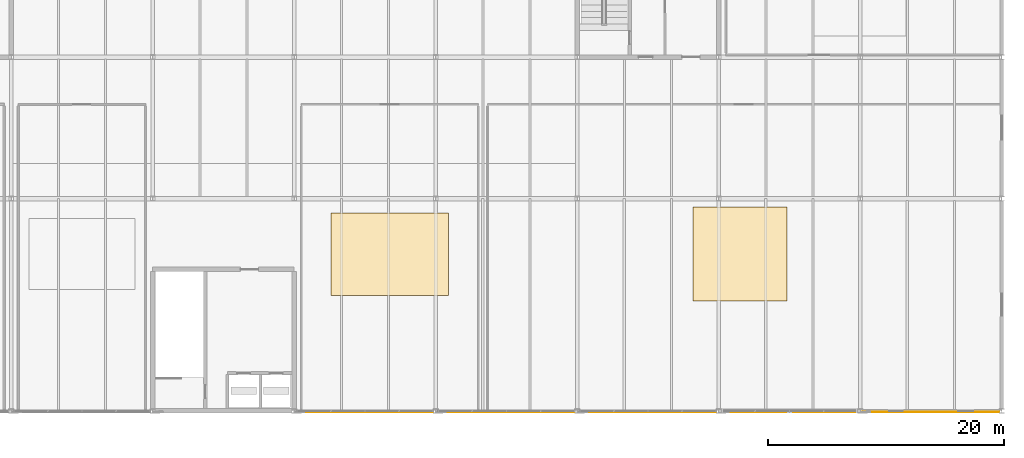
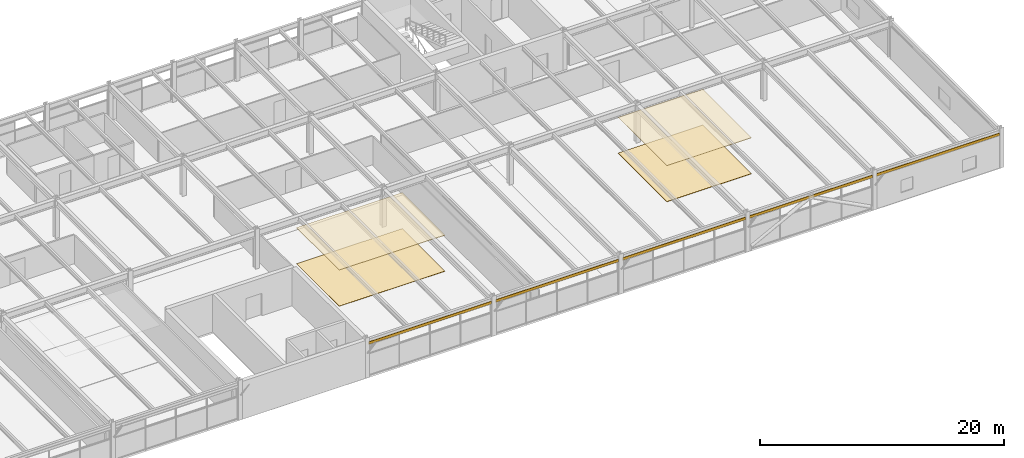
# One storey, part 51 of 52: 5 shading devices, 4 coverings.
"""IFC4 building model written with IfcOpenShell, lengths in metres."""

from ifc_helpers import new_model, si_unit, direction, frame, origin, origin_2d, place, context, subcontext, project, spatial, rectangle, extrude, material, layer, layer_set, type_object, element, save


model = new_model("IFC4")

# Units and contexts
model_context = context("Model", 3, precision=1e-05, world=origin(), true_north=direction((0.0, 1.0)))
body_context = subcontext(model_context, "Body", "Model", "MODEL_VIEW")
ifc_project = project(units=[si_unit("LENGTHUNIT", "METRE"), si_unit("AREAUNIT", "SQUARE_METRE"), si_unit("VOLUMEUNIT", "CUBIC_METRE"), si_unit("PLANEANGLEUNIT", "RADIAN"), si_unit("MASSUNIT", "GRAM", prefix="KILO")], contexts=[model_context])

# Site, building, storey
site_placement = place(None, origin())
site = spatial("IfcSite", under=ifc_project, at=site_placement, CompositionType="ELEMENT")
building_placement = place(site_placement, origin())
building = spatial("IfcBuilding", under=site, at=building_placement, Name="Girod Span Mobility Hub", CompositionType="ELEMENT")
storey_placement = place(building_placement, frame((0.0, 0.0, 45.60009765625)))
storey = spatial("IfcBuildingStorey", under=building, at=storey_placement, Name="L11", CompositionType="ELEMENT", Elevation=45.60009765625)

# Coverings
ifc_material_1 = material(Name="Perforated Mineral-Fibre Acoustic Ceiling Tile", Category="mineral")
ifc_layer_1 = layer(ifc_material_1, 0.050048828125)
ifc_layer_set_1 = layer_set([ifc_layer_1], Name="Perforated Mineral-Fibre Acoustic Ceiling Tile")
covering_type_1 = type_object("IfcCoveringType", Name="COV-CLG-1000X700", PredefinedType="CEILING", material=ifc_layer_set_1)
covering_1_placement = place(storey_placement, frame((92.10009765625, 40.300048828125, 3.5849609375), z_axis=(0.0, 0.0, 1.0), x_axis=(1.0, 0.0, 0.0)))
element("IfcCovering", 1, at=covering_1_placement, inside=storey, type_object=covering_type_1, Name="Training Classroom East Acoustic Ceiling", PredefinedType="CEILING", context=body_context, shape_type="SweptSolid", body=[
    extrude(rectangle(XDim=10.0, YDim=7.0, at=origin_2d()), origin(), (0.0, 0.0, 1.0), 0.050048828125),
])
ifc_material_2 = material(Name="Perforated Mineral-Fibre Acoustic Ceiling Tile", Category="mineral")
ifc_layer_2 = layer(ifc_material_2, 0.0400390625)
ifc_layer_set_2 = layer_set([ifc_layer_2], Name="Perforated Mineral-Fibre Acoustic Ceiling Tile")
covering_type_2 = type_object("IfcCoveringType", Name="COV-CLG-800X800", PredefinedType="CEILING", material=ifc_layer_set_2)
covering_2_placement = place(storey_placement, frame((121.800048828125, 40.300048828125, 3.5849609375), z_axis=(0.0, 0.0, 1.0), x_axis=(1.0, 0.0, 0.0)))
element("IfcCovering", 2, at=covering_2_placement, inside=storey, type_object=covering_type_2, Name="Office Suite Traffic Operations Acoustic Ceiling", PredefinedType="CEILING", context=body_context, shape_type="SweptSolid", body=[
    extrude(rectangle(XDim=8.0, YDim=8.0, at=origin_2d()), origin(), (0.0, 0.0, 1.0), 0.0400390625),
])
ifc_material_3 = material(Name="Epoxy Terrazzo and Raised Access Flooring", Category="polymer")
ifc_layer_3 = layer(ifc_material_3, 0.02490234375)
ifc_layer_set_3 = layer_set([ifc_layer_3], Name="Epoxy Terrazzo and Raised Access Flooring")
covering_type_3 = type_object("IfcCoveringType", Name="COV-FLR-1000X700", PredefinedType="FLOORING", material=ifc_layer_set_3)
covering_3_placement = place(storey_placement, frame((92.10009765625, 40.300048828125, 0.0), z_axis=(0.0, 0.0, 1.0), x_axis=(1.0, 0.0, 0.0)))
element("IfcCovering", 3, at=covering_3_placement, inside=storey, type_object=covering_type_3, Name="Training Classroom East Floor Finish", PredefinedType="FLOORING", context=body_context, shape_type="SweptSolid", body=[
    extrude(rectangle(XDim=10.0, YDim=7.0, at=origin_2d()), origin(), (0.0, 0.0, 1.0), 0.02490234375),
])
ifc_material_4 = material(Name="Epoxy Terrazzo and Raised Access Flooring", Category="polymer")
ifc_layer_4 = layer(ifc_material_4, 0.034912109375)
ifc_layer_set_4 = layer_set([ifc_layer_4], Name="Epoxy Terrazzo and Raised Access Flooring")
covering_type_4 = type_object("IfcCoveringType", Name="COV-FLR-800X800", PredefinedType="FLOORING", material=ifc_layer_set_4)
covering_4_placement = place(storey_placement, frame((121.800048828125, 40.300048828125, 0.0), z_axis=(0.0, 0.0, 1.0), x_axis=(1.0, 0.0, 0.0)))
element("IfcCovering", 4, at=covering_4_placement, inside=storey, type_object=covering_type_4, Name="Office Suite Traffic Operations Floor Finish", PredefinedType="FLOORING", context=body_context, shape_type="SweptSolid", body=[
    extrude(rectangle(XDim=8.0, YDim=8.0, at=origin_2d()), origin(), (0.0, 0.0, 1.0), 0.034912109375),
])

# Shading devices
ifc_material_5 = material(Name="Aluminium 6063-T6", Category="aluminium")
ifc_layer_5 = layer(ifc_material_5, 0.0458984375)
ifc_layer_set_5 = layer_set([ifc_layer_5], Name="Aluminium 6063-T6")
shading_device_type = type_object("IfcShadingDeviceType", Name="SHD-SHT-11610X260X46", PredefinedType="SHUTTER", material=ifc_layer_set_5)
for number, where, z_axis, x_axis, name in (
    (5, (90.0, 26.919921875, 3.2158203125), (0.0, 0.0, 1.0), (1.0, 0.0, 0.0), "External Solar Shading Blade 8 L11"),
    (6, (102.0, 26.919921875, 3.2158203125), (0.0, 0.0, 1.0), (1.0, 0.0, 0.0), "External Solar Shading Blade 9 L11"),
    (7, (114.0, 26.919921875, 3.2158203125), (0.0, 0.0, 1.0), (1.0, 0.0, 0.0), "External Solar Shading Blade 10 L11"),
    (8, (126.0, 26.919921875, 3.2158203125), (0.0, 0.0, 1.0), (1.0, 0.0, 0.0), "External Solar Shading Blade 11 L11"),
    (9, (138.0, 26.919921875, 3.2158203125), (0.0, 0.0, 1.0), (1.0, 0.0, 0.0), "External Solar Shading Blade 12 L11"),
):
    element("IfcShadingDevice", number, at=place(storey_placement, frame(where, z_axis=z_axis, x_axis=x_axis)), inside=storey, type_object=shading_device_type, Name=name, PredefinedType="SHUTTER", context=body_context, shape_type="SweptSolid", body=[
        extrude(rectangle(XDim=11.610107421875, YDim=0.0458984375, at=origin_2d()), origin(), (0.0, 0.0, 1.0), 0.260009765625),
    ])

save(model, "model.ifc")
